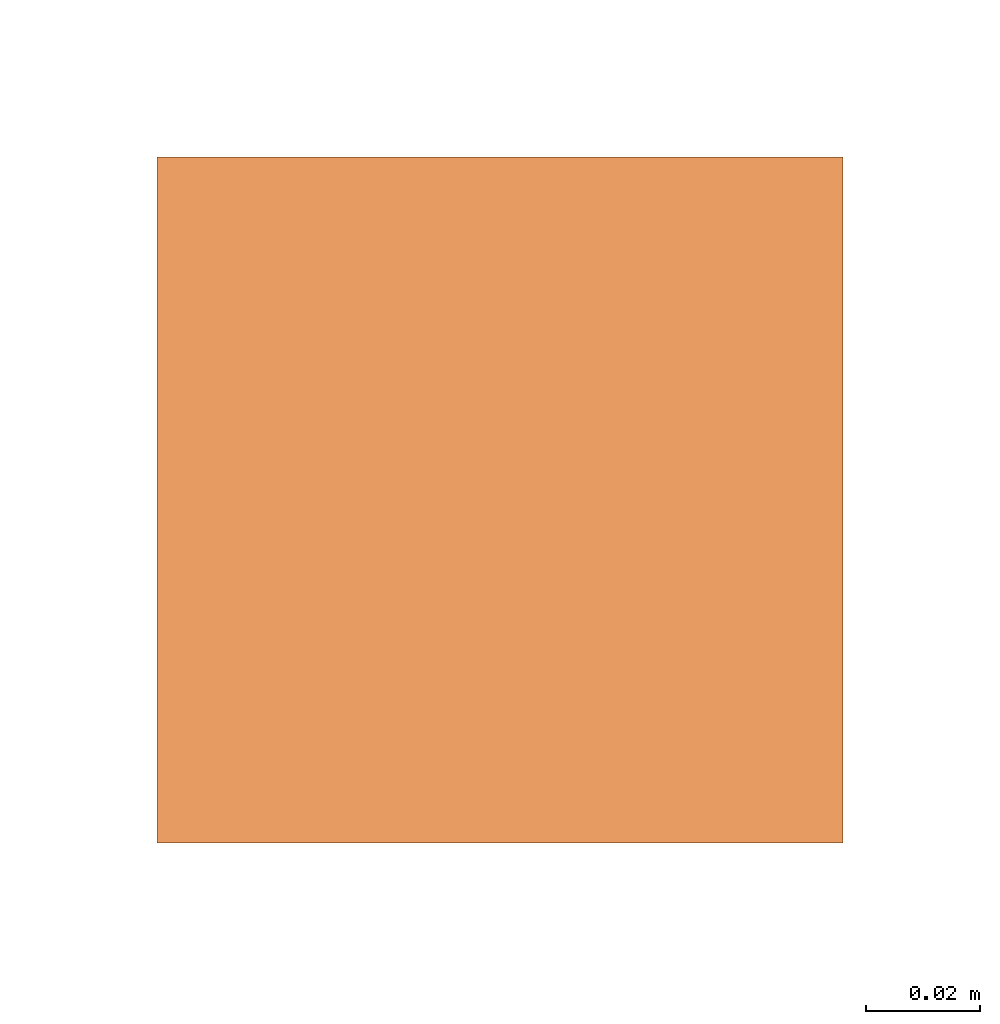
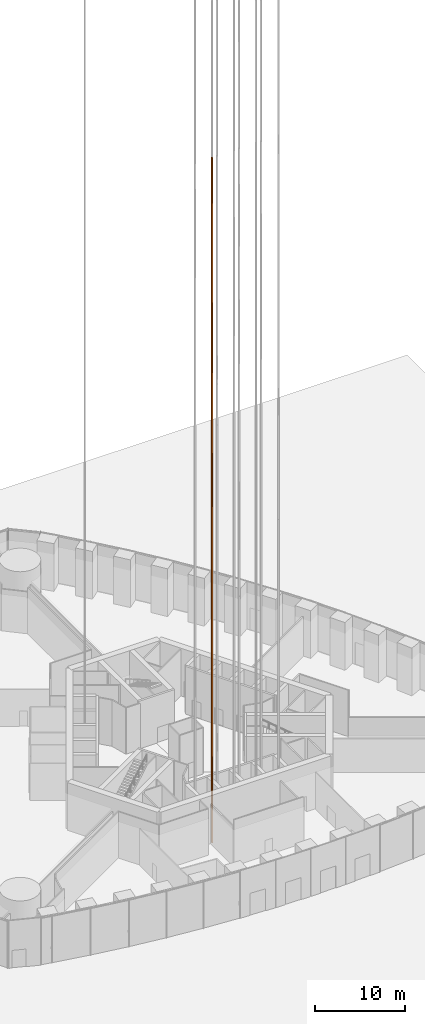
# One storey, part 25 of 43: 1 proxy.
"""IFC4 building model written with IfcOpenShell, lengths in metres."""

from ifc_helpers import new_model, si_unit, direction, frame, origin, origin_2d, place, context, subcontext, project, spatial, rectangle, extrude, element, save


model = new_model("IFC4")

# Units and contexts
model_context = context("Model", 3, precision=1e-05, world=origin(), true_north=direction((0.0, 1.0)))
body_context = subcontext(model_context, "Body", "Model", "MODEL_VIEW")
ifc_project = project(units=[si_unit("LENGTHUNIT", "METRE"), si_unit("AREAUNIT", "SQUARE_METRE"), si_unit("VOLUMEUNIT", "CUBIC_METRE"), si_unit("PLANEANGLEUNIT", "RADIAN"), si_unit("MASSUNIT", "GRAM", prefix="KILO")], contexts=[model_context])

# Site, building, storey
site_placement = place(None, origin())
site = spatial("IfcSite", under=ifc_project, at=site_placement, CompositionType="ELEMENT")
building_placement = place(site_placement, origin())
building = spatial("IfcBuilding", under=site, at=building_placement, Name="Trefoil Bronze Tower", CompositionType="ELEMENT")
storey_placement = place(building_placement, origin())
storey = spatial("IfcBuildingStorey", under=building, at=storey_placement, Name="L00", CompositionType="ELEMENT", Elevation=0.0)

# Proxy
proxy_placement = place(storey_placement, frame((-3.1650390625, -11.3125, -1.60009765625), z_axis=(0.0, 0.0, 1.0), x_axis=(1.0, 0.0, 0.0)))
element("IfcBuildingElementProxy", 1, at=proxy_placement, inside=storey, Name="Lift P11 guide rail 2", ObjectType="LIFT GUIDE RAIL", PredefinedType="USERDEFINED", context=body_context, shape_type="SweptSolid", body=[
    extrude(rectangle(XDim=0.1201171875, YDim=0.1201171875, at=origin_2d()), origin(), (0.0, 0.0, 1.0), 93.35009765625),
])

save(model, "model.ifc")
